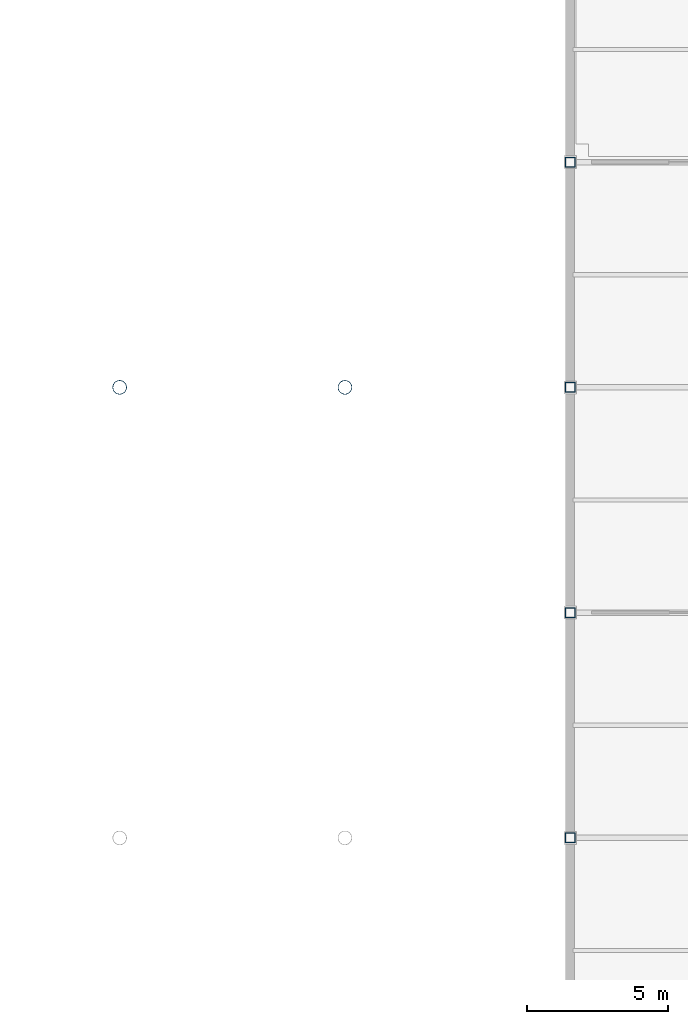
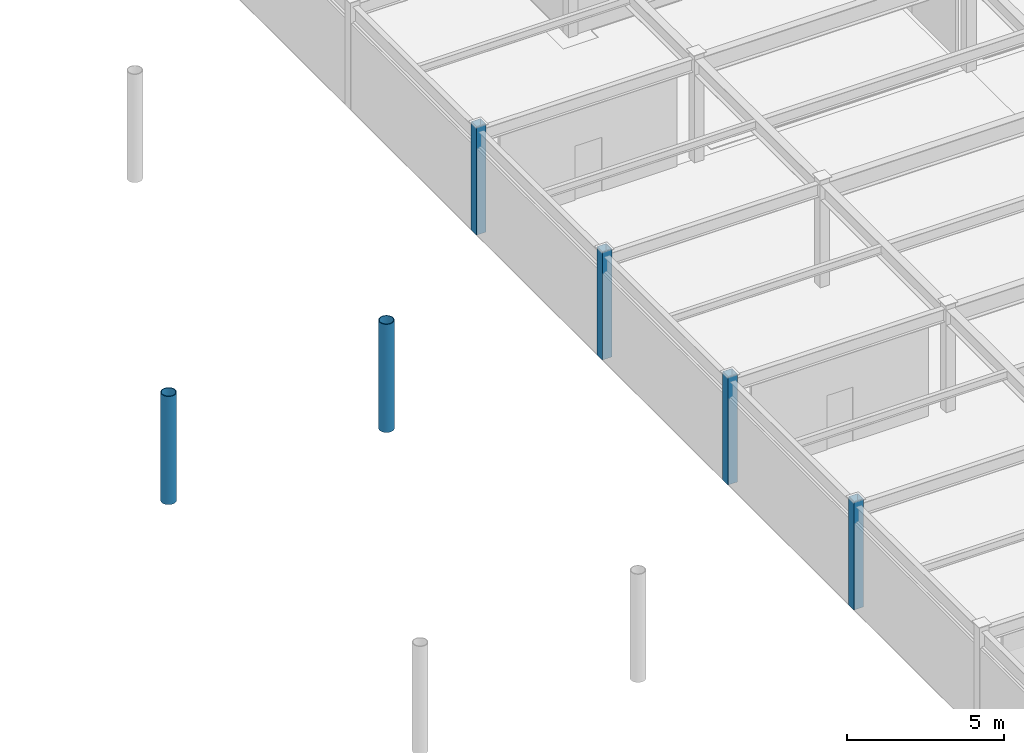
# One storey, part 11 of 78: 6 columns.
"""IFC4 building model written with IfcOpenShell, lengths in metres."""

from ifc_helpers import new_model, si_unit, direction, frame, origin, origin_2d, place, context, subcontext, project, spatial, hollow_rectangle, hollow_circle, extrude, material, material_profile, profile_set, type_object, element, save


model = new_model("IFC4")

# Units and contexts
model_context = context("Model", 3, precision=1e-05, world=origin(), true_north=direction((0.0, 1.0)))
body_context = subcontext(model_context, "Body", "Model", "MODEL_VIEW")
ifc_project = project(units=[si_unit("LENGTHUNIT", "METRE"), si_unit("AREAUNIT", "SQUARE_METRE"), si_unit("VOLUMEUNIT", "CUBIC_METRE"), si_unit("PLANEANGLEUNIT", "RADIAN"), si_unit("MASSUNIT", "GRAM", prefix="KILO")], contexts=[model_context])

# Site, building, storey
site_placement = place(None, origin())
site = spatial("IfcSite", under=ifc_project, at=site_placement, CompositionType="ELEMENT")
building_placement = place(site_placement, origin())
building = spatial("IfcBuilding", under=site, at=building_placement, Name="Haebicheon Civic Stadium", CompositionType="ELEMENT")
storey_placement = place(building_placement, frame((0.0, 0.0, 18.60009765625)))
storey = spatial("IfcBuildingStorey", under=building, at=storey_placement, Name="L05", CompositionType="ELEMENT", Elevation=18.60009765625)

# Columns
ifc_material_1 = material(Name="White painted steel SM490", Category="steel")
ifc_material_profile_1 = material_profile(ifc_material_1, hollow_circle(Radius=0.25390625, WallThickness=0.02490234375, at=origin_2d()), Name="CHS-508.0x25.0")
ifc_profile_set_1 = profile_set([ifc_material_profile_1], Name="White painted steel SM490")
column_type_1 = type_object("IfcColumnType", Name="COL-ST-CHS508", PredefinedType="COLUMN", material=ifc_profile_set_1)
for number, where, z_axis, x_axis, name in (
    (1, (200.0, 88.0, 0.0), (0.0, 0.0, 1.0), (1.0, 0.0, 0.0), "Bowl/canopy support column 200/88 (L05)"),
    (2, (192.0, 88.0, 0.0), (0.0, 0.0, 1.0), (1.0, 0.0, 0.0), "Bowl/canopy support column 192/88 (L05)"),
):
    element("IfcColumn", number, at=place(storey_placement, frame(where, z_axis=z_axis, x_axis=x_axis)), inside=storey, type_object=column_type_1, material=ifc_profile_set_1, Name=name, PredefinedType="COLUMN", context=body_context, shape_type="SweptSolid", body=[
        extrude(hollow_circle(Radius=0.25390625, WallThickness=0.02490234375, at=origin_2d()), origin(), (0.0, 0.0, 1.0), 4.199951171875),
    ])
ifc_material_2 = material(Name="Steel SM490", Category="steel")
ifc_material_profile_2 = material_profile(ifc_material_2, hollow_rectangle(XDim=0.35009765625, YDim=0.35009765625, WallThickness=0.01611328125, at=origin_2d()), Name="RHS-350x350x16.0")
ifc_profile_set_2 = profile_set([ifc_material_profile_2], Name="Steel SM490")
column_type_2 = type_object("IfcColumnType", Name="COL-ST-RHS350", PredefinedType="COLUMN", material=ifc_profile_set_2)
for number, where, z_axis, x_axis, name in (
    (3, (208.0, 72.0, 0.0), (0.0, 0.0, 1.0), (1.0, 0.0, 0.0), "L05 column 27/K"),
    (4, (208.0, 80.0, 0.0), (0.0, 0.0, 1.0), (1.0, 0.0, 0.0), "L05 column 27/L"),
    (5, (208.0, 88.0, 0.0), (0.0, 0.0, 1.0), (1.0, 0.0, 0.0), "L05 column 27/M"),
    (6, (208.0, 96.0, 0.0), (0.0, 0.0, 1.0), (1.0, 0.0, 0.0), "L05 column 27/N"),
):
    element("IfcColumn", number, at=place(storey_placement, frame(where, z_axis=z_axis, x_axis=x_axis)), inside=storey, type_object=column_type_2, material=ifc_profile_set_2, Name=name, PredefinedType="COLUMN", context=body_context, shape_type="SweptSolid", body=[
        extrude(hollow_rectangle(XDim=0.35009765625, YDim=0.35009765625, WallThickness=0.01611328125, at=origin_2d()), origin(), (0.0, 0.0, 1.0), 4.199951171875),
    ])

save(model, "model.ifc")
